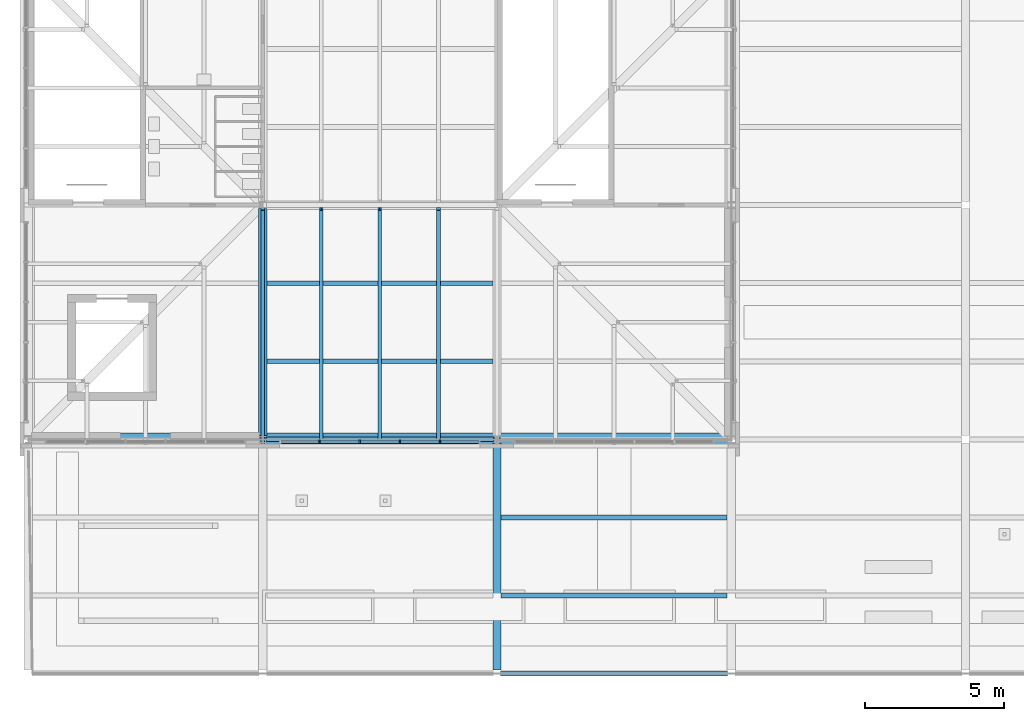
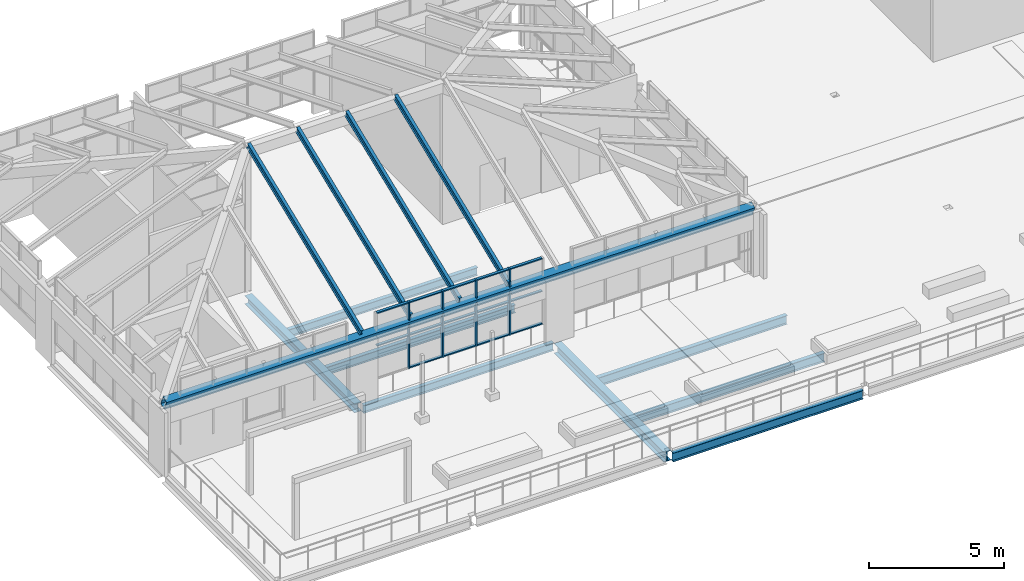
# One storey, part 8 of 126: 22 members, 9 beams, 1 element without a shape of its own.
"""IFC4 building model written with IfcOpenShell, lengths in metres."""

from ifc_helpers import new_model, si_unit, direction, frame, origin, origin_2d, place, context, subcontext, project, spatial, polyline, rectangle, i_section, outline, extrude, material, material_profile, profile_set, type_object, element, aggregate, save


model = new_model("IFC4")

# Units and contexts
model_context = context("Model", 3, precision=1e-05, world=origin(), true_north=direction((0.0, 1.0)))
body_context = subcontext(model_context, "Body", "Model", "MODEL_VIEW")
ifc_project = project(units=[si_unit("LENGTHUNIT", "METRE"), si_unit("AREAUNIT", "SQUARE_METRE"), si_unit("VOLUMEUNIT", "CUBIC_METRE"), si_unit("PLANEANGLEUNIT", "RADIAN"), si_unit("MASSUNIT", "GRAM", prefix="KILO")], contexts=[model_context])

# Site, building, storey
site_placement = place(None, origin())
site = spatial("IfcSite", under=ifc_project, at=site_placement, CompositionType="ELEMENT")
building_placement = place(site_placement, origin())
building = spatial("IfcBuilding", under=site, at=building_placement, Name="Sava Quay Ferry Terminal", CompositionType="ELEMENT")
storey_placement = place(building_placement, frame((0.0, 0.0, 15.0)))
storey = spatial("IfcBuildingStorey", under=building, at=storey_placement, Name="L03", CompositionType="ELEMENT", Elevation=15.0)

# Beams
ifc_material_1 = material(Name="Steel S355", Category="steel")
ifc_material_profile_1 = material_profile(ifc_material_1, i_section(OverallWidth=0.169921875, OverallDepth=0.360107421875, WebThickness=0.008056640625, FlangeThickness=0.0126953125, at=origin_2d()), Name="IPE 360")
ifc_profile_set_1 = profile_set([ifc_material_profile_1], Name="Steel S355")
beam_type_1 = type_object("IfcBeamType", Name="Beam IPE 360", PredefinedType="BEAM", material=ifc_profile_set_1)
beam_1_placement = place(storey_placement, frame((8.530029296875, 33.60009765625, -0.330078125), z_axis=(1.0, 0.0, 0.0), x_axis=(0.0, 1.0, 0.0)))
element("IfcBeam", 1, at=beam_1_placement, inside=storey, type_object=beam_type_1, Name="Beam L03", PredefinedType="BEAM", context=body_context, shape_type="SweptSolid", body=[
    extrude(i_section(OverallWidth=0.169921875, OverallDepth=0.360107421875, WebThickness=0.008056640625, FlangeThickness=0.0126953125, at=origin_2d()), origin(), (0.0, 0.0, 1.0), 8.139892578125),
])
for number, where, z_axis, x_axis, name in (
    (2, (8.550048828125, 36.39990234375, -0.31005859375), (1.0, 0.0, 0.0), (0.0, 1.0, 0.0), "Secondary beam L03"),
    (3, (8.550048828125, 39.199951171875, -0.31005859375), (1.0, 0.0, 0.0), (0.0, 1.0, 0.0), "Secondary beam L03"),
):
    element("IfcBeam", number, at=place(storey_placement, frame(where, z_axis=z_axis, x_axis=x_axis)), inside=storey, type_object=beam_type_1, Name=name, PredefinedType="BEAM", context=body_context, shape_type="SweptSolid", body=[
        extrude(i_section(OverallWidth=0.169921875, OverallDepth=0.360107421875, WebThickness=0.008056640625, FlangeThickness=0.0126953125, at=origin_2d()), origin(), (0.0, 0.0, 1.0), 8.099853515625),
    ])
ifc_material_2 = material(Name="Steel S355", Category="steel")
ifc_material_profile_2 = material_profile(ifc_material_2, i_section(OverallWidth=0.179931640625, OverallDepth=0.39990234375, WebThickness=0.008544921875, FlangeThickness=0.013427734375, at=origin_2d()), Name="IPE 400")
ifc_profile_set_2 = profile_set([ifc_material_profile_2], Name="Steel S355")
beam_type_2 = type_object("IfcBeamType", Name="Beam IPE 400", PredefinedType="BEAM", material=ifc_profile_set_2)
beam_2_placement = place(storey_placement, frame((16.929931640625, 25.199951171875, -0.35009765625), z_axis=(1.0, 0.0, 0.0), x_axis=(0.0, 1.0, 0.0)))
element("IfcBeam", 4, at=beam_2_placement, inside=storey, type_object=beam_type_2, Name="Beam L03", PredefinedType="BEAM", context=body_context, shape_type="SweptSolid", body=[
    extrude(i_section(OverallWidth=0.179931640625, OverallDepth=0.39990234375, WebThickness=0.008544921875, FlangeThickness=0.013427734375, at=origin_2d()), origin(), (0.0, 0.0, 1.0), 8.14013671875),
])
for number, where, z_axis, x_axis, name in (
    (5, (16.949951171875, 28.0, -0.35009765625), (1.0, 0.0, 0.0), (0.0, 1.0, 0.0), "Secondary beam L03"),
    (6, (16.949951171875, 30.800048828125, -0.35009765625), (1.0, 0.0, 0.0), (0.0, 1.0, 0.0), "Secondary beam L03"),
):
    element("IfcBeam", number, at=place(storey_placement, frame(where, z_axis=z_axis, x_axis=x_axis)), inside=storey, type_object=beam_type_2, Name=name, PredefinedType="BEAM", context=body_context, shape_type="SweptSolid", body=[
        extrude(i_section(OverallWidth=0.179931640625, OverallDepth=0.39990234375, WebThickness=0.008544921875, FlangeThickness=0.013427734375, at=origin_2d()), origin(), (0.0, 0.0, 1.0), 8.10009765625),
    ])
ifc_material_3 = material(Name="Steel S355", Category="steel")
ifc_material_profile_3 = material_profile(ifc_material_3, outline(polyline([(-0.14990234375, -0.228515625), (0.14990234375, -0.228515625), (0.14990234375, 0.228515625), (-0.14990234375, 0.228515625), (-0.14990234375, -0.228515625)]), holes=[polyline([(-0.1298828125, -0.20849609375), (-0.1298828125, 0.20849609375), (0.1298828125, 0.20849609375), (0.1298828125, -0.20849609375), (-0.1298828125, -0.20849609375)])]), Name="Box 457x300x20 built-up")
ifc_profile_set_3 = profile_set([ifc_material_profile_3], Name="Steel S355")
beam_type_3 = type_object("IfcBeamType", Name="Fascia beam Box 457x300x20", PredefinedType="BEAM", material=ifc_profile_set_3)
beam_3_placement = place(storey_placement, frame((0.0, 33.60009765625, 2.89990234375), z_axis=(1.0, 0.0, 0.0), x_axis=(0.0, 0.927183854567, 0.374606593416)))
element("IfcBeam", 7, at=beam_3_placement, inside=storey, type_object=beam_type_3, Name="West pavilion eave fascia beam EA2", PredefinedType="BEAM", context=body_context, shape_type="SweptSolid", body=[
    extrude(outline(polyline([(-0.14990234375, -0.228515625), (0.14990234375, -0.228515625), (0.14990234375, 0.228515625), (-0.14990234375, 0.228515625), (-0.14990234375, -0.228515625)]), holes=[polyline([(-0.1298828125, -0.20849609375), (-0.1298828125, 0.20849609375), (0.1298828125, 0.20849609375), (0.1298828125, -0.20849609375), (-0.1298828125, -0.20849609375)])]), origin(), (0.0, 0.0, 1.0), 25.199951171875),
])
ifc_material_4 = material(Name="Steel S355", Category="steel")
ifc_material_profile_4 = material_profile(ifc_material_4, i_section(OverallWidth=0.300048828125, OverallDepth=0.389892578125, WebThickness=0.010986328125, FlangeThickness=0.01904296875, at=origin_2d()), Name="HE 400 A")
ifc_profile_set_4 = profile_set([ifc_material_profile_4], Name="Steel S355")
beam_type_4 = type_object("IfcBeamType", Name="Girder HE 400 A", PredefinedType="BEAM", material=ifc_profile_set_4)
beam_4_placement = place(storey_placement, frame((8.39990234375, 33.72998046875, -0.324951171875), z_axis=(0.0, 1.0, 0.0), x_axis=(-1.0, 0.0, 0.0)))
element("IfcBeam", 8, at=beam_4_placement, inside=storey, type_object=beam_type_4, Name="Girder L03", PredefinedType="BEAM", context=body_context, shape_type="SweptSolid", body=[
    extrude(i_section(OverallWidth=0.300048828125, OverallDepth=0.389892578125, WebThickness=0.010986328125, FlangeThickness=0.01904296875, at=origin_2d()), origin(), (0.0, 0.0, 1.0), 8.14013671875),
])
ifc_material_5 = material(Name="Steel S355", Category="steel")
ifc_material_profile_5 = material_profile(ifc_material_5, i_section(OverallWidth=0.300048828125, OverallDepth=0.449951171875, WebThickness=0.013916015625, FlangeThickness=0.02587890625, at=origin_2d()), Name="HE 450 B")
ifc_profile_set_5 = profile_set([ifc_material_profile_5], Name="Steel S355")
beam_type_5 = type_object("IfcBeamType", Name="Girder HE 450 B", PredefinedType="BEAM", material=ifc_profile_set_5)
beam_5_placement = place(storey_placement, frame((16.800048828125, 25.330078125, -0.375), z_axis=(0.0, 1.0, 0.0), x_axis=(-1.0, 0.0, 0.0)))
element("IfcBeam", 9, at=beam_5_placement, inside=storey, type_object=beam_type_5, Name="Girder L03", PredefinedType="BEAM", context=body_context, shape_type="SweptSolid", body=[
    extrude(i_section(OverallWidth=0.300048828125, OverallDepth=0.449951171875, WebThickness=0.013916015625, FlangeThickness=0.02587890625, at=origin_2d()), origin(), (0.0, 0.0, 1.0), 8.139892578125),
])

# Curtain wall, members
ifc_material_6 = material(Name="Aluminium and glass curtain wall, double low-e glazed", Category="aluminium")
curtain_wall_type = type_object("IfcCurtainWallType", Name="Curtain wall CW-F flank", PredefinedType="NOTDEFINED", material=ifc_material_6)
curtain_wall_placement = place(storey_placement, origin())
curtain_wall = element("IfcCurtainWall", 10, at=curtain_wall_placement, inside=storey, type_object=curtain_wall_type, Name="Curtain wall W-PAV-S L03 bay 2", PredefinedType="NOTDEFINED")
ifc_material_7 = material(Name="Aluminium EN AW-6063 T6", Category="aluminium")
ifc_material_profile_6 = material_profile(ifc_material_7, rectangle(XDim=0.14990234375, YDim=0.06005859375, at=origin_2d()), Name="Mullion 60x150 aluminium")
ifc_profile_set_6 = profile_set([ifc_material_profile_6], Name="Aluminium EN AW-6063 T6")
member_type_1 = type_object("IfcMemberType", Name="Mullion 60x150 aluminium", PredefinedType="MULLION", material=ifc_profile_set_6)
member_1_placement = place(storey_placement, frame((10.43994140625, 33.514892578125, 0.89990234375), z_axis=(0.0, 0.0, 1.0), x_axis=(0.0, 1.0, 0.0)))
member_1 = element("IfcMember", 11, at=member_1_placement, type_object=member_type_1, Name="CW127 mullion 2", PredefinedType="MULLION", context=body_context, shape_type="SweptSolid", body=[
    extrude(rectangle(XDim=0.14990234375, YDim=0.06005859375, at=origin_2d()), origin(), (0.0, 0.0, 1.0), 3.0),
])
member_2_placement = place(storey_placement, frame((11.8798828125, 33.514892578125, 0.89990234375), z_axis=(0.0, 0.0, 1.0), x_axis=(0.0, 1.0, 0.0)))
member_2 = element("IfcMember", 12, at=member_2_placement, type_object=member_type_1, Name="CW127 mullion 3", PredefinedType="MULLION", context=body_context, shape_type="SweptSolid", body=[
    extrude(rectangle(XDim=0.14990234375, YDim=0.06005859375, at=origin_2d()), origin(), (0.0, 0.0, 1.0), 3.0),
])
member_3_placement = place(storey_placement, frame((13.320068359375, 33.514892578125, 0.89990234375), z_axis=(0.0, 0.0, 1.0), x_axis=(0.0, 1.0, 0.0)))
member_3 = element("IfcMember", 13, at=member_3_placement, type_object=member_type_1, Name="CW127 mullion 4", PredefinedType="MULLION", context=body_context, shape_type="SweptSolid", body=[
    extrude(rectangle(XDim=0.14990234375, YDim=0.06005859375, at=origin_2d()), origin(), (0.0, 0.0, 1.0), 3.0),
])
member_4_placement = place(storey_placement, frame((14.760009765625, 33.514892578125, 0.89990234375), z_axis=(0.0, 0.0, 1.0), x_axis=(0.0, 1.0, 0.0)))
member_4 = element("IfcMember", 14, at=member_4_placement, type_object=member_type_1, Name="CW127 mullion 5", PredefinedType="MULLION", context=body_context, shape_type="SweptSolid", body=[
    extrude(rectangle(XDim=0.14990234375, YDim=0.06005859375, at=origin_2d()), origin(), (0.0, 0.0, 1.0), 3.0),
])

# Members
ifc_material_8 = material(Name="Steel S355", Category="steel")
ifc_material_profile_7 = material_profile(ifc_material_8, i_section(OverallWidth=0.135009765625, OverallDepth=0.27001953125, WebThickness=0.006591796875, FlangeThickness=0.01025390625, at=origin_2d()), Name="IPE 270")
ifc_profile_set_7 = profile_set([ifc_material_profile_7], Name="Steel S355")
member_type_2 = type_object("IfcMemberType", Name="Roof rafter IPE 270", PredefinedType="RAFTER", material=ifc_profile_set_7)
for number, where, z_axis, x_axis, name in (
    (15, (8.39990234375, 33.4638671875, 3.237060546875), (0.0, 0.927183164982, 0.374608300192), (-1.0, 0.0, 0.0), "West pavilion rafter RA4"),
    (16, (10.5, 33.4638671875, 3.237060546875), (0.0, 0.927183164982, 0.374608300192), (-1.0, 0.0, 0.0), "West pavilion rafter RA5"),
    (17, (12.60009765625, 33.4638671875, 3.237060546875), (0.0, 0.927183164982, 0.374608300192), (-1.0, 0.0, 0.0), "West pavilion rafter RA6"),
    (18, (14.699951171875, 33.4638671875, 3.237060546875), (0.0, 0.927183164982, 0.374608300192), (-1.0, 0.0, 0.0), "West pavilion rafter RA7"),
):
    element("IfcMember", number, at=place(storey_placement, frame(where, z_axis=z_axis, x_axis=x_axis)), inside=storey, type_object=member_type_2, Name=name, PredefinedType="RAFTER", context=body_context, shape_type="SweptSolid", body=[
        extrude(i_section(OverallWidth=0.135009765625, OverallDepth=0.27001953125, WebThickness=0.006591796875, FlangeThickness=0.01025390625, at=origin_2d()), origin(), (0.0, 0.0, 1.0), 9.0595703125),
    ])

# Member
ifc_material_9 = material(Name="Aluminium EN AW-6063 T6", Category="aluminium")
ifc_material_profile_8 = material_profile(ifc_material_9, rectangle(XDim=0.1201171875, YDim=0.050048828125, at=origin_2d()), Name="Transom 50x120 aluminium")
ifc_profile_set_8 = profile_set([ifc_material_profile_8], Name="Aluminium EN AW-6063 T6")
member_type_3 = type_object("IfcMemberType", Name="Transom 50x120 aluminium", PredefinedType="USERDEFINED", material=ifc_profile_set_8)
member_5_placement = place(storey_placement, frame((9.06005859375, 33.514892578125, 2.39990234375), z_axis=(1.0, 0.0, 0.0), x_axis=(0.0, 1.0, 0.0)))
member_5 = element("IfcMember", 19, at=member_5_placement, type_object=member_type_3, Name="CW127 transom 1.2", ObjectType="TRANSOM", PredefinedType="USERDEFINED", context=body_context, shape_type="SweptSolid", body=[
    extrude(rectangle(XDim=0.1201171875, YDim=0.050048828125, at=origin_2d()), origin(), (0.0, 0.0, 1.0), 1.349853515625),
])

member_6_placement = place(storey_placement, frame((9.06005859375, 33.514892578125, 3.875), z_axis=(1.0, 0.0, 0.0), x_axis=(0.0, 1.0, 0.0)))
member_6 = element("IfcMember", 20, at=member_6_placement, type_object=member_type_3, Name="CW127 transom 1.3", ObjectType="TRANSOM", PredefinedType="USERDEFINED", context=body_context, shape_type="SweptSolid", body=[
    extrude(rectangle(XDim=0.1201171875, YDim=0.050048828125, at=origin_2d()), origin(), (0.0, 0.0, 1.0), 1.349853515625),
])

member_7_placement = place(storey_placement, frame((10.469970703125, 33.514892578125, 0.925048828125), z_axis=(1.0, 0.0, 0.0), x_axis=(0.0, 1.0, 0.0)))
member_7 = element("IfcMember", 21, at=member_7_placement, type_object=member_type_3, Name="CW127 transom 2.1", ObjectType="TRANSOM", PredefinedType="USERDEFINED", context=body_context, shape_type="SweptSolid", body=[
    extrude(rectangle(XDim=0.1201171875, YDim=0.050048828125, at=origin_2d()), origin(), (0.0, 0.0, 1.0), 1.380126953125),
])

member_8_placement = place(storey_placement, frame((10.469970703125, 33.514892578125, 2.39990234375), z_axis=(1.0, 0.0, 0.0), x_axis=(0.0, 1.0, 0.0)))
member_8 = element("IfcMember", 22, at=member_8_placement, type_object=member_type_3, Name="CW127 transom 2.2", ObjectType="TRANSOM", PredefinedType="USERDEFINED", context=body_context, shape_type="SweptSolid", body=[
    extrude(rectangle(XDim=0.1201171875, YDim=0.050048828125, at=origin_2d()), origin(), (0.0, 0.0, 1.0), 1.380126953125),
])

member_9_placement = place(storey_placement, frame((10.469970703125, 33.514892578125, 3.875), z_axis=(1.0, 0.0, 0.0), x_axis=(0.0, 1.0, 0.0)))
member_9 = element("IfcMember", 23, at=member_9_placement, type_object=member_type_3, Name="CW127 transom 2.3", ObjectType="TRANSOM", PredefinedType="USERDEFINED", context=body_context, shape_type="SweptSolid", body=[
    extrude(rectangle(XDim=0.1201171875, YDim=0.050048828125, at=origin_2d()), origin(), (0.0, 0.0, 1.0), 1.380126953125),
])

member_10_placement = place(storey_placement, frame((11.909912109375, 33.514892578125, 0.925048828125), z_axis=(1.0, 0.0, 0.0), x_axis=(0.0, 1.0, 0.0)))
member_10 = element("IfcMember", 24, at=member_10_placement, type_object=member_type_3, Name="CW127 transom 3.1", ObjectType="TRANSOM", PredefinedType="USERDEFINED", context=body_context, shape_type="SweptSolid", body=[
    extrude(rectangle(XDim=0.1201171875, YDim=0.050048828125, at=origin_2d()), origin(), (0.0, 0.0, 1.0), 1.380126953125),
])

member_11_placement = place(storey_placement, frame((11.909912109375, 33.514892578125, 2.39990234375), z_axis=(1.0, 0.0, 0.0), x_axis=(0.0, 1.0, 0.0)))
member_11 = element("IfcMember", 25, at=member_11_placement, type_object=member_type_3, Name="CW127 transom 3.2", ObjectType="TRANSOM", PredefinedType="USERDEFINED", context=body_context, shape_type="SweptSolid", body=[
    extrude(rectangle(XDim=0.1201171875, YDim=0.050048828125, at=origin_2d()), origin(), (0.0, 0.0, 1.0), 1.380126953125),
])

member_12_placement = place(storey_placement, frame((11.909912109375, 33.514892578125, 3.875), z_axis=(1.0, 0.0, 0.0), x_axis=(0.0, 1.0, 0.0)))
member_12 = element("IfcMember", 26, at=member_12_placement, type_object=member_type_3, Name="CW127 transom 3.3", ObjectType="TRANSOM", PredefinedType="USERDEFINED", context=body_context, shape_type="SweptSolid", body=[
    extrude(rectangle(XDim=0.1201171875, YDim=0.050048828125, at=origin_2d()), origin(), (0.0, 0.0, 1.0), 1.380126953125),
])

member_13_placement = place(storey_placement, frame((13.35009765625, 33.514892578125, 0.925048828125), z_axis=(1.0, 0.0, 0.0), x_axis=(0.0, 1.0, 0.0)))
member_13 = element("IfcMember", 27, at=member_13_placement, type_object=member_type_3, Name="CW127 transom 4.1", ObjectType="TRANSOM", PredefinedType="USERDEFINED", context=body_context, shape_type="SweptSolid", body=[
    extrude(rectangle(XDim=0.1201171875, YDim=0.050048828125, at=origin_2d()), origin(), (0.0, 0.0, 1.0), 1.3798828125),
])

member_14_placement = place(storey_placement, frame((13.35009765625, 33.514892578125, 2.39990234375), z_axis=(1.0, 0.0, 0.0), x_axis=(0.0, 1.0, 0.0)))
member_14 = element("IfcMember", 28, at=member_14_placement, type_object=member_type_3, Name="CW127 transom 4.2", ObjectType="TRANSOM", PredefinedType="USERDEFINED", context=body_context, shape_type="SweptSolid", body=[
    extrude(rectangle(XDim=0.1201171875, YDim=0.050048828125, at=origin_2d()), origin(), (0.0, 0.0, 1.0), 1.3798828125),
])

member_15_placement = place(storey_placement, frame((13.35009765625, 33.514892578125, 3.875), z_axis=(1.0, 0.0, 0.0), x_axis=(0.0, 1.0, 0.0)))
member_15 = element("IfcMember", 29, at=member_15_placement, type_object=member_type_3, Name="CW127 transom 4.3", ObjectType="TRANSOM", PredefinedType="USERDEFINED", context=body_context, shape_type="SweptSolid", body=[
    extrude(rectangle(XDim=0.1201171875, YDim=0.050048828125, at=origin_2d()), origin(), (0.0, 0.0, 1.0), 1.3798828125),
])

member_16_placement = place(storey_placement, frame((14.7900390625, 33.514892578125, 0.925048828125), z_axis=(1.0, 0.0, 0.0), x_axis=(0.0, 1.0, 0.0)))
member_16 = element("IfcMember", 30, at=member_16_placement, type_object=member_type_3, Name="CW127 transom 5.1", ObjectType="TRANSOM", PredefinedType="USERDEFINED", context=body_context, shape_type="SweptSolid", body=[
    extrude(rectangle(XDim=0.1201171875, YDim=0.050048828125, at=origin_2d()), origin(), (0.0, 0.0, 1.0), 1.349853515625),
])

member_17_placement = place(storey_placement, frame((14.7900390625, 33.514892578125, 2.39990234375), z_axis=(1.0, 0.0, 0.0), x_axis=(0.0, 1.0, 0.0)))
member_17 = element("IfcMember", 31, at=member_17_placement, type_object=member_type_3, Name="CW127 transom 5.2", ObjectType="TRANSOM", PredefinedType="USERDEFINED", context=body_context, shape_type="SweptSolid", body=[
    extrude(rectangle(XDim=0.1201171875, YDim=0.050048828125, at=origin_2d()), origin(), (0.0, 0.0, 1.0), 1.349853515625),
])

member_18_placement = place(storey_placement, frame((14.7900390625, 33.514892578125, 3.875), z_axis=(1.0, 0.0, 0.0), x_axis=(0.0, 1.0, 0.0)))
member_18 = element("IfcMember", 32, at=member_18_placement, type_object=member_type_3, Name="CW127 transom 5.3", ObjectType="TRANSOM", PredefinedType="USERDEFINED", context=body_context, shape_type="SweptSolid", body=[
    extrude(rectangle(XDim=0.1201171875, YDim=0.050048828125, at=origin_2d()), origin(), (0.0, 0.0, 1.0), 1.349853515625),
])

aggregate(curtain_wall, [member_1, member_2, member_3, member_4, member_5, member_6, member_7, member_8, member_9, member_10, member_11, member_12, member_13, member_14, member_15, member_16, member_17, member_18])

save(model, "model.ifc")
